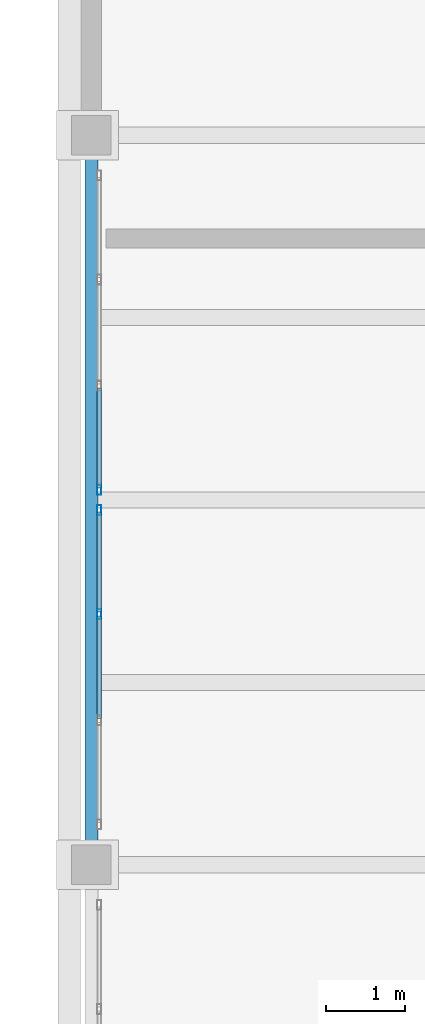
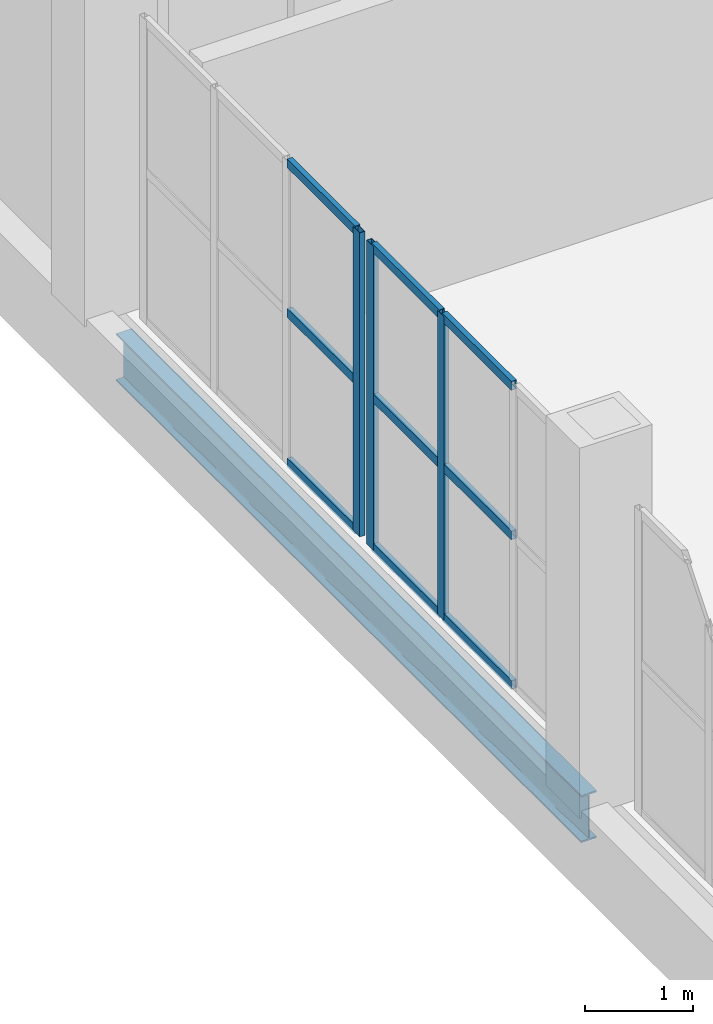
# One storey, part 18 of 26: 12 members, 1 beam, 2 elements without a shape of their own.
"""IFC4 building model written with IfcOpenShell, lengths in metres."""

from ifc_helpers import new_model, si_unit, direction, frame, origin, origin_2d, place, context, subcontext, project, spatial, hollow_rectangle, i_section, extrude, material, material_profile, profile_set, type_object, element, aggregate, save


model = new_model("IFC4")

# Units and contexts
model_context = context("Model", 3, precision=1e-05, world=origin(), true_north=direction((0.0, 1.0)))
body_context = subcontext(model_context, "Body", "Model", "MODEL_VIEW")
ifc_project = project(units=[si_unit("LENGTHUNIT", "METRE"), si_unit("AREAUNIT", "SQUARE_METRE"), si_unit("VOLUMEUNIT", "CUBIC_METRE"), si_unit("PLANEANGLEUNIT", "RADIAN"), si_unit("MASSUNIT", "GRAM", prefix="KILO")], contexts=[model_context])

# Site, building, storey
site_placement = place(None, origin())
site = spatial("IfcSite", under=ifc_project, at=site_placement, CompositionType="ELEMENT")
building_placement = place(site_placement, origin())
building = spatial("IfcBuilding", under=site, at=building_placement, Name="Caurita Quay Ferry Terminal", CompositionType="ELEMENT")
storey_placement = place(building_placement, frame((0.0, 0.0, 18.300048828125)))
storey = spatial("IfcBuildingStorey", under=building, at=storey_placement, Name="L04", CompositionType="ELEMENT", Elevation=18.300048828125)

# Beam
ifc_material_1 = material(Name="Structural steel ASTM A992 Gr. 50", Category="steel")
ifc_material_profile_1 = material_profile(ifc_material_1, i_section(OverallWidth=0.16650390625, OverallDepth=0.535888671875, WebThickness=0.01025390625, FlangeThickness=0.0166015625, FilletRadius=0.013916015625, at=origin_2d()), Name="W21X57")
ifc_profile_set_1 = profile_set([ifc_material_profile_1], Name="Structural steel ASTM A992 Gr. 50")
beam_type = type_object("IfcBeamType", Name="BM-SP-W21B", PredefinedType="SPANDREL", material=ifc_profile_set_1)
beam_placement = place(storey_placement, frame((0.0, 98.876220703125, -0.488037109375), z_axis=(0.0, 1.0, 0.0), x_axis=(-1.0, 0.0, 0.0)))
element("IfcBeam", 1, at=beam_placement, inside=storey, type_object=beam_type, Name="L04 Beam BM-V5-L04-Y-0-989", PredefinedType="SPANDREL", context=body_context, shape_type="SweptSolid", body=[
    extrude(i_section(OverallWidth=0.16650390625, OverallDepth=0.535888671875, WebThickness=0.01025390625, FlangeThickness=0.0166015625, FilletRadius=0.013916015625, at=origin_2d()), origin(), (0.0, 0.0, 1.0), 8.6474609375),
])

# Curtain wall, members
ifc_material_2 = material(Name="Laminated solar-control insulated glass", Category="glass")
curtain_wall_type = type_object("IfcCurtainWallType", Name="CW-SYS-21", PredefinedType="NOTDEFINED", material=ifc_material_2)
curtain_wall_1_placement = place(storey_placement, origin())
curtain_wall_1 = element("IfcCurtainWall", 2, at=curtain_wall_1_placement, inside=storey, type_object=curtain_wall_type, Name="VTS Watch Panoramic Curtain Wall 148", PredefinedType="NOTDEFINED")
ifc_material_3 = material(Name="Anodized aluminium 6063-T6", Category="aluminium")
ifc_material_profile_2 = material_profile(ifc_material_3, hollow_rectangle(XDim=0.054931640625, YDim=0.125, WallThickness=0.00341796875, at=origin_2d()), Name="ALU-MUL-55X125")
ifc_profile_set_2 = profile_set([ifc_material_profile_2], Name="Anodized aluminium 6063-T6")
member_type_1 = type_object("IfcMemberType", Name="CW-MUL-125", PredefinedType="MULLION", material=ifc_profile_set_2)
member_1_placement = place(storey_placement, frame((0.10009765625, 101.760009765625, 0.0), z_axis=(0.0, 0.0, 1.0), x_axis=(-1.0, 0.0, 0.0)))
member_1 = element("IfcMember", 3, at=member_1_placement, type_object=member_type_1, Name="CW-VTS-148 Mullion 3", PredefinedType="MULLION", context=body_context, shape_type="SweptSolid", body=[
    extrude(hollow_rectangle(XDim=0.054931640625, YDim=0.125, WallThickness=0.00341796875, at=origin_2d()), origin(), (0.0, 0.0, 1.0), 3.449951171875),
])
member_2_placement = place(storey_placement, frame((0.10009765625, 103.072509765625, 0.0), z_axis=(0.0, 0.0, 1.0), x_axis=(-1.0, 0.0, 0.0)))
member_2 = element("IfcMember", 4, at=member_2_placement, type_object=member_type_1, Name="CW-VTS-148 Mullion 4", PredefinedType="MULLION", context=body_context, shape_type="SweptSolid", body=[
    extrude(hollow_rectangle(XDim=0.054931640625, YDim=0.125, WallThickness=0.00341796875, at=origin_2d()), origin(), (0.0, 0.0, 1.0), 3.449951171875),
])

# Curtain wall, member
curtain_wall_2_placement = place(storey_placement, origin())
curtain_wall_2 = element("IfcCurtainWall", 5, at=curtain_wall_2_placement, inside=storey, type_object=curtain_wall_type, Name="VTS Watch Panoramic Curtain Wall 149", PredefinedType="NOTDEFINED")
member_3_placement = place(storey_placement, frame((0.10009765625, 103.327392578125, 0.0), z_axis=(0.0, 0.0, 1.0), x_axis=(-1.0, 0.0, 0.0)))
member_3 = element("IfcMember", 6, at=member_3_placement, type_object=member_type_1, Name="CW-VTS-149 Mullion 1", PredefinedType="MULLION", context=body_context, shape_type="SweptSolid", body=[
    extrude(hollow_rectangle(XDim=0.054931640625, YDim=0.125, WallThickness=0.00341796875, at=origin_2d()), origin(), (0.0, 0.0, 1.0), 3.449951171875),
])

# Member
ifc_material_profile_3 = material_profile(ifc_material_3, hollow_rectangle(XDim=0.054931640625, YDim=0.10009765625, WallThickness=0.00341796875, at=origin_2d()), Name="ALU-TRN-55X100")
ifc_profile_set_3 = profile_set([ifc_material_profile_3], Name="Anodized aluminium 6063-T6")
member_type_2 = type_object("IfcMemberType", Name="CW-TRN-100", PredefinedType="USERDEFINED", material=ifc_profile_set_3)
member_4_placement = place(storey_placement, frame((0.10009765625, 100.445556640625, 0.02734375), z_axis=(0.0, 1.0, 0.0), x_axis=(-1.0, 0.0, 0.0)))
member_4 = element("IfcMember", 7, at=member_4_placement, type_object=member_type_2, Name="CW-VTS-148 Transom 4", ObjectType="TRANSOM", PredefinedType="USERDEFINED", context=body_context, shape_type="SweptSolid", body=[
    extrude(hollow_rectangle(XDim=0.054931640625, YDim=0.10009765625, WallThickness=0.00341796875, at=origin_2d()), origin(), (0.0, 0.0, 1.0), 1.2890625),
])

member_5_placement = place(storey_placement, frame((0.10009765625, 100.445556640625, 1.724853515625), z_axis=(0.0, 1.0, 0.0), x_axis=(-1.0, 0.0, 0.0)))
member_5 = element("IfcMember", 8, at=member_5_placement, type_object=member_type_2, Name="CW-VTS-148 Transom 5", ObjectType="TRANSOM", PredefinedType="USERDEFINED", context=body_context, shape_type="SweptSolid", body=[
    extrude(hollow_rectangle(XDim=0.054931640625, YDim=0.10009765625, WallThickness=0.00341796875, at=origin_2d()), origin(), (0.0, 0.0, 1.0), 1.2890625),
])

member_6_placement = place(storey_placement, frame((0.10009765625, 100.445556640625, 3.42236328125), z_axis=(0.0, 1.0, 0.0), x_axis=(-1.0, 0.0, 0.0)))
member_6 = element("IfcMember", 9, at=member_6_placement, type_object=member_type_2, Name="CW-VTS-148 Transom 6", ObjectType="TRANSOM", PredefinedType="USERDEFINED", context=body_context, shape_type="SweptSolid", body=[
    extrude(hollow_rectangle(XDim=0.054931640625, YDim=0.10009765625, WallThickness=0.00341796875, at=origin_2d()), origin(), (0.0, 0.0, 1.0), 1.2890625),
])

member_7_placement = place(storey_placement, frame((0.10009765625, 101.785400390625, 0.02734375), z_axis=(0.0, 1.0, 0.0), x_axis=(-1.0, 0.0, 0.0)))
member_7 = element("IfcMember", 10, at=member_7_placement, type_object=member_type_2, Name="CW-VTS-148 Transom 7", ObjectType="TRANSOM", PredefinedType="USERDEFINED", context=body_context, shape_type="SweptSolid", body=[
    extrude(hollow_rectangle(XDim=0.054931640625, YDim=0.10009765625, WallThickness=0.00341796875, at=origin_2d()), origin(), (0.0, 0.0, 1.0), 1.26171875),
])

member_8_placement = place(storey_placement, frame((0.10009765625, 101.785400390625, 1.724853515625), z_axis=(0.0, 1.0, 0.0), x_axis=(-1.0, 0.0, 0.0)))
member_8 = element("IfcMember", 11, at=member_8_placement, type_object=member_type_2, Name="CW-VTS-148 Transom 8", ObjectType="TRANSOM", PredefinedType="USERDEFINED", context=body_context, shape_type="SweptSolid", body=[
    extrude(hollow_rectangle(XDim=0.054931640625, YDim=0.10009765625, WallThickness=0.00341796875, at=origin_2d()), origin(), (0.0, 0.0, 1.0), 1.26171875),
])

member_9_placement = place(storey_placement, frame((0.10009765625, 101.785400390625, 3.42236328125), z_axis=(0.0, 1.0, 0.0), x_axis=(-1.0, 0.0, 0.0)))
member_9 = element("IfcMember", 12, at=member_9_placement, type_object=member_type_2, Name="CW-VTS-148 Transom 9", ObjectType="TRANSOM", PredefinedType="USERDEFINED", context=body_context, shape_type="SweptSolid", body=[
    extrude(hollow_rectangle(XDim=0.054931640625, YDim=0.10009765625, WallThickness=0.00341796875, at=origin_2d()), origin(), (0.0, 0.0, 1.0), 1.26171875),
])

aggregate(curtain_wall_1, [member_1, member_2, member_4, member_5, member_6, member_7, member_8, member_9])

member_10_placement = place(storey_placement, frame((0.10009765625, 103.35302734375, 0.02734375), z_axis=(0.0, 1.0, 0.0), x_axis=(-1.0, 0.0, 0.0)))
member_10 = element("IfcMember", 13, at=member_10_placement, type_object=member_type_2, Name="CW-VTS-149 Transom 1", ObjectType="TRANSOM", PredefinedType="USERDEFINED", context=body_context, shape_type="SweptSolid", body=[
    extrude(hollow_rectangle(XDim=0.054931640625, YDim=0.10009765625, WallThickness=0.00341796875, at=origin_2d()), origin(), (0.0, 0.0, 1.0), 1.261474609375),
])

member_11_placement = place(storey_placement, frame((0.10009765625, 103.35302734375, 1.724853515625), z_axis=(0.0, 1.0, 0.0), x_axis=(-1.0, 0.0, 0.0)))
member_11 = element("IfcMember", 14, at=member_11_placement, type_object=member_type_2, Name="CW-VTS-149 Transom 2", ObjectType="TRANSOM", PredefinedType="USERDEFINED", context=body_context, shape_type="SweptSolid", body=[
    extrude(hollow_rectangle(XDim=0.054931640625, YDim=0.10009765625, WallThickness=0.00341796875, at=origin_2d()), origin(), (0.0, 0.0, 1.0), 1.261474609375),
])

member_12_placement = place(storey_placement, frame((0.10009765625, 103.35302734375, 3.42236328125), z_axis=(0.0, 1.0, 0.0), x_axis=(-1.0, 0.0, 0.0)))
member_12 = element("IfcMember", 15, at=member_12_placement, type_object=member_type_2, Name="CW-VTS-149 Transom 3", ObjectType="TRANSOM", PredefinedType="USERDEFINED", context=body_context, shape_type="SweptSolid", body=[
    extrude(hollow_rectangle(XDim=0.054931640625, YDim=0.10009765625, WallThickness=0.00341796875, at=origin_2d()), origin(), (0.0, 0.0, 1.0), 1.261474609375),
])

aggregate(curtain_wall_2, [member_3, member_10, member_11, member_12])

save(model, "model.ifc")
